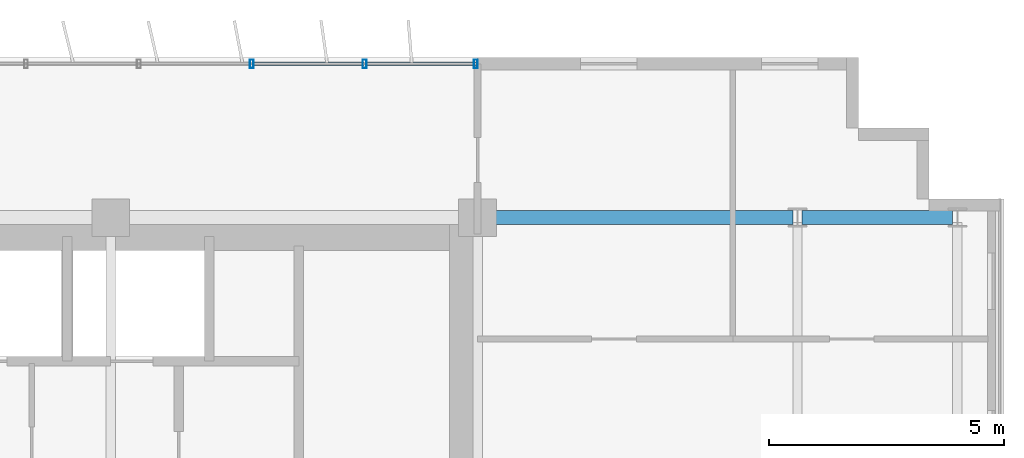
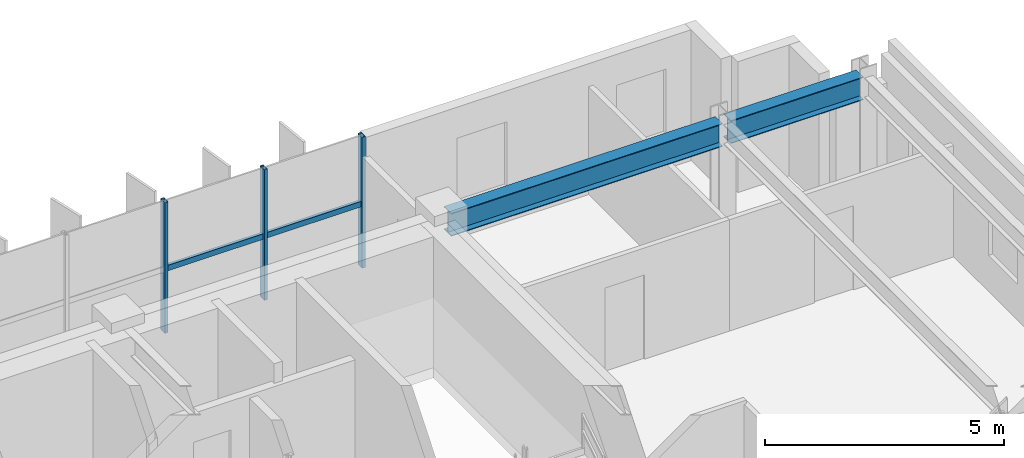
# One storey, part 15 of 26: 5 members, 2 beams, 1 element without a shape of its own.
"""IFC4 building model written with IfcOpenShell, lengths in metres."""

from ifc_helpers import new_model, si_unit, direction, frame, origin, origin_2d, place, context, subcontext, project, spatial, hollow_rectangle, i_section, extrude, source, transform, mapped, material, material_profile, profile_set, type_object, element, aggregate, save


model = new_model("IFC4")

# Units and contexts
model_context = context("Model", 3, precision=1e-05, world=origin(), true_north=direction((0.0, 1.0)))
body_context = subcontext(model_context, "Body", "Model", "MODEL_VIEW")
ifc_project = project(units=[si_unit("LENGTHUNIT", "METRE"), si_unit("AREAUNIT", "SQUARE_METRE"), si_unit("VOLUMEUNIT", "CUBIC_METRE"), si_unit("PLANEANGLEUNIT", "RADIAN"), si_unit("MASSUNIT", "GRAM", prefix="KILO")], contexts=[model_context])

# Site, building, storey
site_placement = place(None, origin())
site = spatial("IfcSite", under=ifc_project, at=site_placement, CompositionType="ELEMENT")
building_placement = place(site_placement, origin())
building = spatial("IfcBuilding", under=site, at=building_placement, Name="Trelvane Seafront Commons", CompositionType="ELEMENT")
storey_placement = place(building_placement, frame((0.0, 0.0, 124.89990234375)))
storey = spatial("IfcBuildingStorey", under=building, at=storey_placement, Name="L32", CompositionType="ELEMENT", Elevation=124.89990234375)

# Beams
ifc_material_1 = material(Name="Steel SM355 (S355)", Category="steel")
ifc_material_profile_1 = material_profile(ifc_material_1, i_section(OverallWidth=0.300048828125, OverallDepth=0.587890625, WebThickness=0.011962890625, FlangeThickness=0.02001953125, at=origin_2d()), Name="H-588x300x12x20")
ifc_profile_set_1 = profile_set([ifc_material_profile_1], Name="Steel SM355 (S355)")
beam_type = type_object("IfcBeamType", Name="STR-BM-H588", PredefinedType="BEAM", material=ifc_profile_set_1)
shared_shape_1 = source(origin(), body_context, "Body", "SweptSolid", [
    extrude(i_section(OverallWidth=0.300048828125, OverallDepth=0.587890625, WebThickness=0.011962890625, FlangeThickness=0.02001953125, at=origin_2d()), origin(), (0.0, 0.0, 1.0), 3.199951171875),
])
beam_1_placement = place(storey_placement, frame((65.699951171875, 45.10009765625, 3.046142578125), z_axis=(1.0, 0.0, 0.0), x_axis=(0.0, 1.0, 0.0)))
element("IfcBeam", 1, at=beam_1_placement, inside=storey, type_object=beam_type, Name="L32 Primary Girder G-36", PredefinedType="BEAM", context=body_context, shape_type="MappedRepresentation", body=[
    mapped(shared_shape_1, transform((0.0, 0.0, 0.0), x_axis=(1.0, 0.0, 0.0), y_axis=(0.0, 1.0, 0.0), z_axis=(0.0, 0.0, 1.0), scale=1.0)),
])
shared_shape_2 = source(origin(), body_context, "Body", "SweptSolid", [
    extrude(i_section(OverallWidth=0.300048828125, OverallDepth=0.587890625, WebThickness=0.011962890625, FlangeThickness=0.02001953125, at=origin_2d()), origin(), (0.0, 0.0, 1.0), 6.550048828125),
])
beam_2_placement = place(storey_placement, frame((58.949951171875, 45.10009765625, 3.046142578125), z_axis=(1.0, 0.0, 0.0), x_axis=(0.0, 1.0, 0.0)))
element("IfcBeam", 2, at=beam_2_placement, inside=storey, type_object=beam_type, Name="L32 Primary Girder G-35", PredefinedType="BEAM", context=body_context, shape_type="MappedRepresentation", body=[
    mapped(shared_shape_2, transform((0.0, 0.0, 0.0), x_axis=(1.0, 0.0, 0.0), y_axis=(0.0, 1.0, 0.0), z_axis=(0.0, 0.0, 1.0), scale=1.0)),
])

# Curtain wall, members
ifc_material_2 = material(Name="Anodised pale-silver aluminium", Category="aluminium")
curtain_wall_type = type_object("IfcCurtainWallType", Name="ARCH-CW4-SKYLOBBY", PredefinedType="NOTDEFINED", material=ifc_material_2)
curtain_wall_placement = place(storey_placement, origin())
curtain_wall = element("IfcCurtainWall", 3, at=curtain_wall_placement, inside=storey, type_object=curtain_wall_type, Name="CW-L32-0057", PredefinedType="NOTDEFINED")
ifc_material_profile_2 = material_profile(ifc_material_2, hollow_rectangle(XDim=0.074951171875, YDim=0.139892578125, WallThickness=0.00390625, at=origin_2d()), Name="TRAN-75x140x4")
ifc_profile_set_2 = profile_set([ifc_material_profile_2], Name="Anodised pale-silver aluminium")
member_type_1 = type_object("IfcMemberType", Name="ARCH-CW-TRAN-140", PredefinedType="USERDEFINED", material=ifc_profile_set_2)
shared_shape_3 = source(origin(), body_context, "Body", "SweptSolid", [
    extrude(hollow_rectangle(XDim=0.074951171875, YDim=0.139892578125, WallThickness=0.00390625, at=origin_2d()), origin(), (0.0, 0.0, 1.0), 2.3759765625),
])
member_1_placement = place(storey_placement, frame((54.011962890625, 48.3701171875, 1.60302734375), z_axis=(1.0, 0.0, 0.0), x_axis=(0.0, 1.0, 0.0)))
member_1 = element("IfcMember", 4, at=member_1_placement, type_object=member_type_1, Name="CW-L32-0057-T16", ObjectType="TRANSOM", PredefinedType="USERDEFINED", context=body_context, shape_type="MappedRepresentation", body=[
    mapped(shared_shape_3, transform((0.0, 0.0, 0.0), x_axis=(1.0, 0.0, 0.0), y_axis=(0.0, 1.0, 0.0), z_axis=(0.0, 0.0, 1.0), scale=1.0)),
])
member_2_placement = place(storey_placement, frame((56.412109375, 48.3701171875, 1.60302734375), z_axis=(1.0, 0.0, 0.0), x_axis=(0.0, 1.0, 0.0)))
member_2 = element("IfcMember", 5, at=member_2_placement, type_object=member_type_1, Name="CW-L32-0057-T17", ObjectType="TRANSOM", PredefinedType="USERDEFINED", context=body_context, shape_type="MappedRepresentation", body=[
    mapped(shared_shape_3, transform((0.0, 0.0, 0.0), x_axis=(1.0, 0.0, 0.0), y_axis=(0.0, 1.0, 0.0), z_axis=(0.0, 0.0, 1.0), scale=1.0)),
])
ifc_material_profile_3 = material_profile(ifc_material_2, hollow_rectangle(XDim=0.080078125, YDim=0.179931640625, WallThickness=0.00439453125, at=origin_2d()), Name="MULL-80x180x4.5")
ifc_profile_set_3 = profile_set([ifc_material_profile_3], Name="Anodised pale-silver aluminium")
member_type_2 = type_object("IfcMemberType", Name="ARCH-CW-MULL-180", PredefinedType="MULLION", material=ifc_profile_set_3)
shared_shape_4 = source(origin(), body_context, "Body", "SweptSolid", [
    extrude(hollow_rectangle(XDim=0.080078125, YDim=0.179931640625, WallThickness=0.00439453125, at=origin_2d()), origin(), (0.0, 0.0, 1.0), 3.340087890625),
])
member_3_placement = place(storey_placement, frame((54.0, 48.3701171875, 0.0), z_axis=(0.0, 0.0, 1.0), x_axis=(1.0, 0.0, 0.0)))
member_3 = element("IfcMember", 6, at=member_3_placement, type_object=member_type_2, Name="CW-L32-0057-M16", PredefinedType="MULLION", context=body_context, shape_type="MappedRepresentation", body=[
    mapped(shared_shape_4, transform((0.0, 0.0, 0.0), x_axis=(1.0, 0.0, 0.0), y_axis=(0.0, 1.0, 0.0), z_axis=(0.0, 0.0, 1.0), scale=1.0)),
])
member_4_placement = place(storey_placement, frame((56.39990234375, 48.3701171875, 0.0), z_axis=(0.0, 0.0, 1.0), x_axis=(1.0, 0.0, 0.0)))
member_4 = element("IfcMember", 7, at=member_4_placement, type_object=member_type_2, Name="CW-L32-0057-M17", PredefinedType="MULLION", context=body_context, shape_type="MappedRepresentation", body=[
    mapped(shared_shape_4, transform((0.0, 0.0, 0.0), x_axis=(1.0, 0.0, 0.0), y_axis=(0.0, 1.0, 0.0), z_axis=(0.0, 0.0, 1.0), scale=1.0)),
])
member_5_placement = place(storey_placement, frame((58.760009765625, 48.3701171875, 0.0), z_axis=(0.0, 0.0, 1.0), x_axis=(1.0, 0.0, 0.0)))
member_5 = element("IfcMember", 8, at=member_5_placement, type_object=member_type_2, Name="CW-L32-0057-M18", PredefinedType="MULLION", context=body_context, shape_type="MappedRepresentation", body=[
    mapped(shared_shape_4, transform((0.0, 0.0, 0.0), x_axis=(1.0, 0.0, 0.0), y_axis=(0.0, 1.0, 0.0), z_axis=(0.0, 0.0, 1.0), scale=1.0)),
])
aggregate(curtain_wall, [member_3, member_4, member_5, member_1, member_2])

save(model, "model.ifc")
